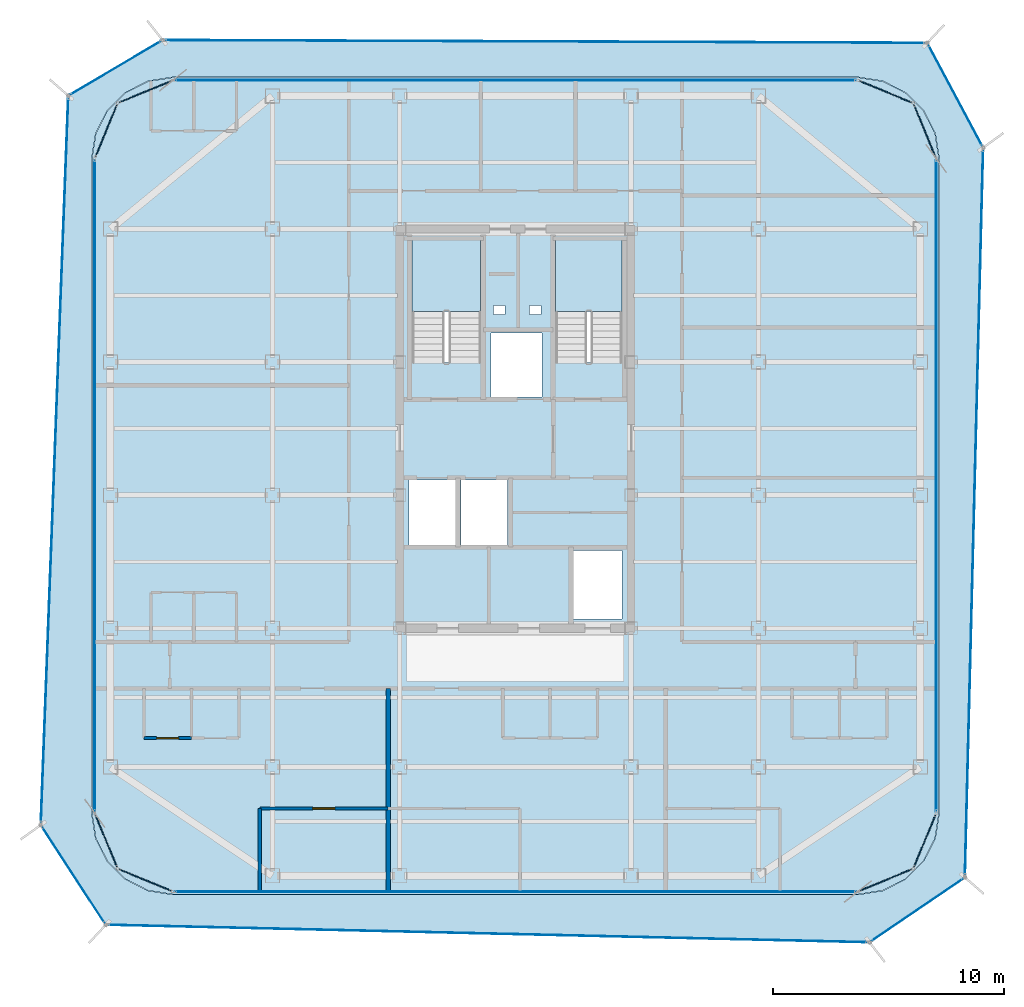
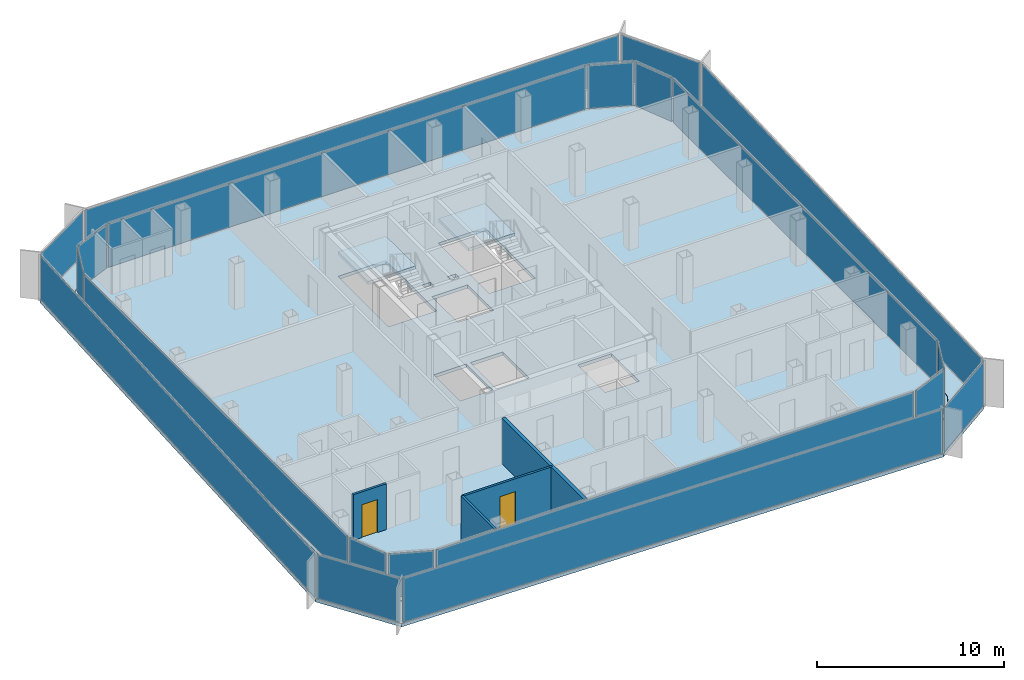
# One storey, part 9 of 15: 20 plates, 4 slabs, 4 walls, 2 doors, 2 openings, 22 elements without a shape of their own.
"""IFC4 building model written with IfcOpenShell, lengths in metres."""

from ifc_helpers import new_model, si_unit, direction, frame, frame_2d, origin, origin_2d, place, context, subcontext, project, spatial, polyline, rectangle, outline, extrude, source, transform, mapped, material, layer, layer_set, type_object, element, fill, aggregate, save


model = new_model("IFC4")

# Units and contexts
model_context = context("Model", 3, precision=1e-05, world=origin(), true_north=direction((0.0, 1.0)))
body_context = subcontext(model_context, "Body", "Model", "MODEL_VIEW")
ifc_project = project(units=[si_unit("LENGTHUNIT", "METRE"), si_unit("AREAUNIT", "SQUARE_METRE"), si_unit("VOLUMEUNIT", "CUBIC_METRE"), si_unit("PLANEANGLEUNIT", "RADIAN"), si_unit("MASSUNIT", "GRAM", prefix="KILO")], contexts=[model_context])

# Site, building, storey
site_placement = place(None, origin())
site = spatial("IfcSite", under=ifc_project, at=site_placement, CompositionType="ELEMENT")
building_placement = place(site_placement, origin())
building = spatial("IfcBuilding", under=site, at=building_placement, Name="Kolveth Station Tower", CompositionType="ELEMENT")
storey_placement = place(building_placement, frame((0.0, 0.0, 220.10009765625)))
storey = spatial("IfcBuildingStorey", under=building, at=storey_placement, Name="L62", CompositionType="ELEMENT", Elevation=220.10009765625)

# Slab
ifc_material_1 = material(Name="Concrete C40/50", Category="concrete")
ifc_layer_1 = layer(ifc_material_1, 0.219970703125)
ifc_layer_set_1 = layer_set([ifc_layer_1], Name="Concrete C40/50")
slab_type_1 = type_object("IfcSlabType", Name="Slab_SF-220", PredefinedType="FLOOR", material=ifc_layer_set_1)
slab_1_placement = place(storey_placement, frame((0.0, 0.0, -0.22021484375)))
element("IfcSlab", 1, at=slab_1_placement, inside=storey, type_object=slab_type_1, Name="L62 Tower Structural Floor Slab", PredefinedType="FLOOR", context=body_context, shape_type="SweptSolid", body=[
    extrude(outline(polyline([(38.300048828125, 0.0), (39.381591796875, 0.17138671875), (40.357177734375, 0.66845703125), (41.131591796875, 1.44287109375), (41.628662109375, 2.41845703125), (41.800048828125, 3.5), (41.800048828125, 31.800048828125), (41.628662109375, 32.881591796875), (41.131591796875, 33.857177734375), (40.357177734375, 34.631591796875), (39.381591796875, 35.128662109375), (38.300048828125, 35.300048828125), (8.699951171875, 35.300048828125), (7.618408203125, 35.128662109375), (6.642822265625, 34.631591796875), (5.868408203125, 33.857177734375), (5.371337890625, 32.881591796875), (5.199951171875, 31.800048828125), (5.199951171875, 3.5), (5.371337890625, 2.41845703125), (5.868408203125, 1.44287109375), (6.642822265625, 0.66845703125), (7.618408203125, 0.17138671875), (8.699951171875, 0.0), (38.300048828125, 0.0)]), holes=[polyline([(19.0400390625, 22.985107421875), (22.0, 22.985107421875), (22.0, 28.39990234375), (19.0400390625, 28.39990234375), (19.0400390625, 22.985107421875)]), polyline([(25.239990234375, 22.985107421875), (28.10009765625, 22.985107421875), (28.10009765625, 28.39990234375), (25.239990234375, 28.39990234375), (25.239990234375, 22.985107421875)]), polyline([(18.89990234375, 15.10009765625), (20.89990234375, 15.10009765625), (20.89990234375, 17.89990234375), (18.89990234375, 17.89990234375), (18.89990234375, 15.10009765625)]), polyline([(21.14990234375, 15.10009765625), (23.14990234375, 15.10009765625), (23.14990234375, 17.89990234375), (21.14990234375, 17.89990234375), (21.14990234375, 15.10009765625)]), polyline([(22.449951171875, 21.5), (24.64990234375, 21.5), (24.64990234375, 24.25), (22.449951171875, 24.25), (22.449951171875, 21.5)]), polyline([(26.0, 11.89990234375), (28.10009765625, 11.89990234375), (28.10009765625, 14.85009765625), (26.0, 14.85009765625), (26.0, 11.89990234375)]), polyline([(22.550048828125, 25.050048828125), (23.050048828125, 25.050048828125), (23.050048828125, 25.449951171875), (22.550048828125, 25.449951171875), (22.550048828125, 25.050048828125)]), polyline([(24.10009765625, 25.050048828125), (24.60009765625, 25.050048828125), (24.60009765625, 25.449951171875), (24.10009765625, 25.449951171875), (24.10009765625, 25.050048828125)])]), origin(), (0.0, 0.0, 1.0), 0.22021484375),
])

# Stair, slab
stair_type_1 = type_object("IfcStairType", Name="Stair_ST2", PredefinedType="HALF_TURN_STAIR", material=ifc_material_1)
stair_1_placement = place(storey_placement, origin())
stair_1 = element("IfcStair", 2, at=stair_1_placement, inside=storey, type_object=stair_type_1, Name="L62 Tower Exit Stair ST2", PredefinedType="HALF_TURN_STAIR")
ifc_layer_2 = layer(ifc_material_1, 0.18994140625)
ifc_layer_set_2 = layer_set([ifc_layer_2], Name="Concrete C40/50")
slab_type_2 = type_object("IfcSlabType", Name="Slab_SL-190", PredefinedType="LANDING", material=ifc_layer_set_2)
slab_2_placement = place(storey_placement, frame((0.0, 0.0, 1.39990234375)))
slab_2 = element("IfcSlab", 3, at=slab_2_placement, type_object=slab_type_2, Name="ST2 landing 1", PredefinedType="LANDING", context=body_context, shape_type="SweptSolid", body=[
    extrude(outline(polyline([(28.10009765625, 25.18994140625), (28.10009765625, 28.39990234375), (25.239990234375, 28.39990234375), (25.239990234375, 25.18994140625), (28.10009765625, 25.18994140625)])), origin(), (0.0, 0.0, 1.0), 0.199951171875),
])
aggregate(stair_1, [slab_2])

stair_type_2 = type_object("IfcStairType", Name="Stair_ST1", PredefinedType="HALF_TURN_STAIR", material=ifc_material_1)
stair_2_placement = place(storey_placement, origin())
stair_2 = element("IfcStair", 4, at=stair_2_placement, inside=storey, type_object=stair_type_2, Name="L62 Tower Exit Stair ST1", PredefinedType="HALF_TURN_STAIR")
ifc_layer_3 = layer(ifc_material_1, 0.205078125)
ifc_layer_set_3 = layer_set([ifc_layer_3], Name="Concrete C40/50")
slab_type_3 = type_object("IfcSlabType", Name="Slab_SL-205", PredefinedType="LANDING", material=ifc_layer_set_3)
slab_3_placement = place(storey_placement, frame((0.0, 0.0, 1.39990234375)))
slab_3 = element("IfcSlab", 5, at=slab_3_placement, type_object=slab_type_3, Name="ST1 landing 1", PredefinedType="LANDING", context=body_context, shape_type="SweptSolid", body=[
    extrude(outline(polyline([(22.0, 25.18994140625), (22.0, 28.39990234375), (19.0400390625, 28.39990234375), (19.0400390625, 25.18994140625), (22.0, 25.18994140625)])), origin(), (0.0, 0.0, 1.0), 0.199951171875),
])
aggregate(stair_2, [slab_3])

# Slab
ifc_layer_4 = layer(ifc_material_1, 0.2099609375)
ifc_layer_set_4 = layer_set([ifc_layer_4], Name="Concrete C40/50")
slab_type_4 = type_object("IfcSlabType", Name="Slab_ST-210", PredefinedType="FLOOR", material=ifc_layer_set_4)
slab_4_placement = place(storey_placement, frame((0.0, 0.0, -0.210205078125)))
element("IfcSlab", 6, at=slab_4_placement, inside=storey, type_object=slab_type_4, Name="L62 Double-Skin Cavity Structural Ledger Ring", PredefinedType="FLOOR", context=body_context, shape_type="SweptSolid", body=[
    extrude(outline(polyline([(5.80126953125, -1.318115234375), (2.990966796875, 2.995849609375), (4.180908203125, 34.50927734375), (8.2548828125, 36.912109375), (41.297607421875, 36.791015625), (43.714111328125, 32.267578125), (42.92529296875, 0.72998046875), (38.80224609375, -2.07568359375), (5.80126953125, -1.318115234375)]), holes=[polyline([(38.30224609375, -0.014892578125), (39.3837890625, 0.156494140625), (39.388427734375, 0.157958984375), (40.364013671875, 0.655029296875), (40.367919921875, 0.65771484375), (41.14208984375, 1.43212890625), (41.14501953125, 1.43603515625), (41.64208984375, 2.41162109375), (41.6435546875, 2.416015625), (41.814697265625, 3.497802734375), (41.81494140625, 3.5), (41.81494140625, 31.800048828125), (41.814697265625, 31.80224609375), (41.6435546875, 32.8837890625), (41.64208984375, 32.888427734375), (41.14501953125, 33.864013671875), (41.14208984375, 33.867919921875), (40.367919921875, 34.64208984375), (40.364013671875, 34.64501953125), (39.388427734375, 35.14208984375), (39.3837890625, 35.1435546875), (38.30224609375, 35.314697265625), (38.300048828125, 35.31494140625), (8.699951171875, 35.31494140625), (8.69775390625, 35.314697265625), (7.6162109375, 35.1435546875), (7.611572265625, 35.14208984375), (6.635986328125, 34.64501953125), (6.632080078125, 34.64208984375), (5.85791015625, 33.867919921875), (5.85498046875, 33.864013671875), (5.35791015625, 32.888427734375), (5.3564453125, 32.8837890625), (5.185302734375, 31.80224609375), (5.18505859375, 31.800048828125), (5.18505859375, 3.5), (5.185302734375, 3.497802734375), (5.3564453125, 2.416015625), (5.35791015625, 2.41162109375), (5.85498046875, 1.43603515625), (5.85791015625, 1.43212890625), (6.632080078125, 0.65771484375), (6.635986328125, 0.655029296875), (7.611572265625, 0.157958984375), (7.6162109375, 0.156494140625), (8.69775390625, -0.014892578125), (8.699951171875, -0.014892578125), (38.300048828125, -0.014892578125), (38.30224609375, -0.014892578125)])]), origin(), (0.0, 0.0, 1.0), 0.210205078125),
])

# Curtain wall, plate
ifc_material_2 = material(Name="Aluminium 6063-T6 and triple low-E dark glass", Category="aluminium")
ifc_layer_5 = layer(ifc_material_2, 0.199951171875)
ifc_layer_set_5 = layer_set([ifc_layer_5], Name="Aluminium 6063-T6 and triple low-E dark glass")
curtain_wall_type_1 = type_object("IfcCurtainWallType", Name="CurtainWall_CW-Z3", PredefinedType="NOTDEFINED", material=ifc_layer_set_5)
curtain_wall_1_placement = place(storey_placement, origin())
curtain_wall_1 = element("IfcCurtainWall", 7, at=curtain_wall_1_placement, inside=storey, type_object=curtain_wall_type_1, Name="L62 Inner Thermal Curtain Wall 1", PredefinedType="NOTDEFINED")
ifc_material_3 = material(Name="Architectural low-E dark glass", Category="glass")
ifc_layer_6 = layer(ifc_material_3, 0.0419921875)
ifc_layer_set_6 = layer_set([ifc_layer_6], Name="Architectural low-E dark glass")
plate_type_1 = type_object("IfcPlateType", Name="Panel_GL3", PredefinedType="CURTAIN_PANEL", material=ifc_layer_set_6)
shared_shape_1 = source(origin(), body_context, "Body", "SweptSolid", [
    extrude(rectangle(XDim=2.430908203125, YDim=0.0419921875, at=origin_2d()), origin(), (0.0, 0.0, 1.0), 2.823974609375),
])
plate_1_placement = place(storey_placement, frame((39.4951171875, 0.614990234375, 0.078125), z_axis=(0.0, 0.0, 1.0), x_axis=(0.923875488975, 0.382693194181, 0.0)))
plate_1 = element("IfcPlate", 8, at=plate_1_placement, type_object=plate_type_1, Name="CW-Z3 panel 1.1", PredefinedType="CURTAIN_PANEL", context=body_context, shape_type="MappedRepresentation", body=[
    mapped(shared_shape_1, transform((0.0, 0.0, 0.0), x_axis=(1.0, 0.0, 0.0), y_axis=(0.0, 1.0, 0.0), z_axis=(0.0, 0.0, 1.0), scale=1.0)),
])
aggregate(curtain_wall_1, [plate_1])

curtain_wall_2_placement = place(storey_placement, origin())
curtain_wall_2 = element("IfcCurtainWall", 9, at=curtain_wall_2_placement, inside=storey, type_object=curtain_wall_type_1, Name="L62 Inner Thermal Curtain Wall 2", PredefinedType="NOTDEFINED")
plate_2_placement = place(storey_placement, frame((41.18505859375, 2.304931640625, 0.078125), z_axis=(0.0, 0.0, 1.0), x_axis=(0.382693194181, 0.923875488975, 0.0)))
plate_2 = element("IfcPlate", 10, at=plate_2_placement, type_object=plate_type_1, Name="CW-Z3 panel 1.1", PredefinedType="CURTAIN_PANEL", context=body_context, shape_type="MappedRepresentation", body=[
    mapped(shared_shape_1, transform((0.0, 0.0, 0.0), x_axis=(1.0, 0.0, 0.0), y_axis=(0.0, 1.0, 0.0), z_axis=(0.0, 0.0, 1.0), scale=1.0)),
])
aggregate(curtain_wall_2, [plate_2])

curtain_wall_3_placement = place(storey_placement, origin())
curtain_wall_3 = element("IfcCurtainWall", 11, at=curtain_wall_3_placement, inside=storey, type_object=curtain_wall_type_1, Name="L62 Inner Thermal Curtain Wall 4", PredefinedType="NOTDEFINED")
plate_3_placement = place(storey_placement, frame((41.18505859375, 32.9951171875, 0.078125), z_axis=(0.0, 0.0, 1.0), x_axis=(-0.382693194181, 0.923875488975, 0.0)))
plate_3 = element("IfcPlate", 12, at=plate_3_placement, type_object=plate_type_1, Name="CW-Z3 panel 1.1", PredefinedType="CURTAIN_PANEL", context=body_context, shape_type="MappedRepresentation", body=[
    mapped(shared_shape_1, transform((0.0, 0.0, 0.0), x_axis=(1.0, 0.0, 0.0), y_axis=(0.0, 1.0, 0.0), z_axis=(0.0, 0.0, 1.0), scale=1.0)),
])
aggregate(curtain_wall_3, [plate_3])

curtain_wall_4_placement = place(storey_placement, origin())
curtain_wall_4 = element("IfcCurtainWall", 13, at=curtain_wall_4_placement, inside=storey, type_object=curtain_wall_type_1, Name="L62 Inner Thermal Curtain Wall 5", PredefinedType="NOTDEFINED")
plate_4_placement = place(storey_placement, frame((39.4951171875, 34.68505859375, 0.078125), z_axis=(0.0, 0.0, 1.0), x_axis=(-0.923875488975, 0.382693194181, 0.0)))
plate_4 = element("IfcPlate", 14, at=plate_4_placement, type_object=plate_type_1, Name="CW-Z3 panel 1.1", PredefinedType="CURTAIN_PANEL", context=body_context, shape_type="MappedRepresentation", body=[
    mapped(shared_shape_1, transform((0.0, 0.0, 0.0), x_axis=(1.0, 0.0, 0.0), y_axis=(0.0, 1.0, 0.0), z_axis=(0.0, 0.0, 1.0), scale=1.0)),
])
aggregate(curtain_wall_4, [plate_4])

curtain_wall_5_placement = place(storey_placement, origin())
curtain_wall_5 = element("IfcCurtainWall", 15, at=curtain_wall_5_placement, inside=storey, type_object=curtain_wall_type_1, Name="L62 Inner Thermal Curtain Wall 7", PredefinedType="NOTDEFINED")
plate_5_placement = place(storey_placement, frame((7.5048828125, 34.68505859375, 0.078125), z_axis=(0.0, 0.0, 1.0), x_axis=(-0.923875488975, -0.382693194181, 0.0)))
plate_5 = element("IfcPlate", 16, at=plate_5_placement, type_object=plate_type_1, Name="CW-Z3 panel 1.1", PredefinedType="CURTAIN_PANEL", context=body_context, shape_type="MappedRepresentation", body=[
    mapped(shared_shape_1, transform((0.0, 0.0, 0.0), x_axis=(1.0, 0.0, 0.0), y_axis=(0.0, 1.0, 0.0), z_axis=(0.0, 0.0, 1.0), scale=1.0)),
])
aggregate(curtain_wall_5, [plate_5])

curtain_wall_6_placement = place(storey_placement, origin())
curtain_wall_6 = element("IfcCurtainWall", 17, at=curtain_wall_6_placement, inside=storey, type_object=curtain_wall_type_1, Name="L62 Inner Thermal Curtain Wall 8", PredefinedType="NOTDEFINED")
plate_6_placement = place(storey_placement, frame((5.81494140625, 32.9951171875, 0.078125), z_axis=(0.0, 0.0, 1.0), x_axis=(-0.382693194181, -0.923875488975, 0.0)))
plate_6 = element("IfcPlate", 18, at=plate_6_placement, type_object=plate_type_1, Name="CW-Z3 panel 1.1", PredefinedType="CURTAIN_PANEL", context=body_context, shape_type="MappedRepresentation", body=[
    mapped(shared_shape_1, transform((0.0, 0.0, 0.0), x_axis=(1.0, 0.0, 0.0), y_axis=(0.0, 1.0, 0.0), z_axis=(0.0, 0.0, 1.0), scale=1.0)),
])
aggregate(curtain_wall_6, [plate_6])

curtain_wall_7_placement = place(storey_placement, origin())
curtain_wall_7 = element("IfcCurtainWall", 19, at=curtain_wall_7_placement, inside=storey, type_object=curtain_wall_type_1, Name="L62 Inner Thermal Curtain Wall 10", PredefinedType="NOTDEFINED")
plate_7_placement = place(storey_placement, frame((5.81494140625, 2.304931640625, 0.078125), z_axis=(0.0, 0.0, 1.0), x_axis=(0.382693194181, -0.923875488975, 0.0)))
plate_7 = element("IfcPlate", 20, at=plate_7_placement, type_object=plate_type_1, Name="CW-Z3 panel 1.1", PredefinedType="CURTAIN_PANEL", context=body_context, shape_type="MappedRepresentation", body=[
    mapped(shared_shape_1, transform((0.0, 0.0, 0.0), x_axis=(1.0, 0.0, 0.0), y_axis=(0.0, 1.0, 0.0), z_axis=(0.0, 0.0, 1.0), scale=1.0)),
])
aggregate(curtain_wall_7, [plate_7])

curtain_wall_8_placement = place(storey_placement, origin())
curtain_wall_8 = element("IfcCurtainWall", 21, at=curtain_wall_8_placement, inside=storey, type_object=curtain_wall_type_1, Name="L62 Inner Thermal Curtain Wall 11", PredefinedType="NOTDEFINED")
plate_8_placement = place(storey_placement, frame((7.5048828125, 0.614990234375, 0.078125), z_axis=(0.0, 0.0, 1.0), x_axis=(0.923875488975, -0.382693194181, 0.0)))
plate_8 = element("IfcPlate", 22, at=plate_8_placement, type_object=plate_type_1, Name="CW-Z3 panel 1.1", PredefinedType="CURTAIN_PANEL", context=body_context, shape_type="MappedRepresentation", body=[
    mapped(shared_shape_1, transform((0.0, 0.0, 0.0), x_axis=(1.0, 0.0, 0.0), y_axis=(0.0, 1.0, 0.0), z_axis=(0.0, 0.0, 1.0), scale=1.0)),
])
aggregate(curtain_wall_8, [plate_8])

curtain_wall_9_placement = place(storey_placement, origin())
curtain_wall_9 = element("IfcCurtainWall", 23, at=curtain_wall_9_placement, inside=storey, type_object=curtain_wall_type_1, Name="L62 Inner Thermal Curtain Wall 3", PredefinedType="NOTDEFINED")
shared_shape_2 = source(origin(), body_context, "Body", "SweptSolid", [
    extrude(rectangle(XDim=28.14404296875, YDim=0.0419921875, at=origin_2d()), origin(), (0.0, 0.0, 1.0), 2.823974609375),
])
plate_9_placement = place(storey_placement, frame((41.679931640625, 17.64990234375, 0.078125), z_axis=(0.0, 0.0, 1.0), x_axis=(0.0, 1.0, 0.0)))
plate_9 = element("IfcPlate", 24, at=plate_9_placement, type_object=plate_type_1, Name="CW-Z3 panel 1.1", PredefinedType="CURTAIN_PANEL", context=body_context, shape_type="MappedRepresentation", body=[
    mapped(shared_shape_2, transform((0.0, 0.0, 0.0), x_axis=(1.0, 0.0, 0.0), y_axis=(0.0, 1.0, 0.0), z_axis=(0.0, 0.0, 1.0), scale=1.0)),
])
aggregate(curtain_wall_9, [plate_9])

curtain_wall_10_placement = place(storey_placement, origin())
curtain_wall_10 = element("IfcCurtainWall", 25, at=curtain_wall_10_placement, inside=storey, type_object=curtain_wall_type_1, Name="L62 Inner Thermal Curtain Wall 9", PredefinedType="NOTDEFINED")
plate_10_placement = place(storey_placement, frame((5.320068359375, 17.64990234375, 0.078125), z_axis=(0.0, 0.0, 1.0), x_axis=(0.0, -1.0, 0.0)))
plate_10 = element("IfcPlate", 26, at=plate_10_placement, type_object=plate_type_1, Name="CW-Z3 panel 1.1", PredefinedType="CURTAIN_PANEL", context=body_context, shape_type="MappedRepresentation", body=[
    mapped(shared_shape_2, transform((0.0, 0.0, 0.0), x_axis=(1.0, 0.0, 0.0), y_axis=(0.0, 1.0, 0.0), z_axis=(0.0, 0.0, 1.0), scale=1.0)),
])
aggregate(curtain_wall_10, [plate_10])

curtain_wall_11_placement = place(storey_placement, origin())
curtain_wall_11 = element("IfcCurtainWall", 27, at=curtain_wall_11_placement, inside=storey, type_object=curtain_wall_type_1, Name="L62 Inner Thermal Curtain Wall 6", PredefinedType="NOTDEFINED")
shared_shape_3 = source(origin(), body_context, "Body", "SweptSolid", [
    extrude(rectangle(XDim=29.444091796875, YDim=0.0419921875, at=origin_2d()), origin(), (0.0, 0.0, 1.0), 2.823974609375),
])
plate_11_placement = place(storey_placement, frame((23.5, 35.179931640625, 0.078125), z_axis=(0.0, 0.0, 1.0), x_axis=(-1.0, 0.0, 0.0)))
plate_11 = element("IfcPlate", 28, at=plate_11_placement, type_object=plate_type_1, Name="CW-Z3 panel 1.1", PredefinedType="CURTAIN_PANEL", context=body_context, shape_type="MappedRepresentation", body=[
    mapped(shared_shape_3, transform((0.0, 0.0, 0.0), x_axis=(1.0, 0.0, 0.0), y_axis=(0.0, 1.0, 0.0), z_axis=(0.0, 0.0, 1.0), scale=1.0)),
])
aggregate(curtain_wall_11, [plate_11])

curtain_wall_12_placement = place(storey_placement, origin())
curtain_wall_12 = element("IfcCurtainWall", 29, at=curtain_wall_12_placement, inside=storey, type_object=curtain_wall_type_1, Name="L62 Inner Thermal Curtain Wall 12", PredefinedType="NOTDEFINED")
plate_12_placement = place(storey_placement, frame((23.5, 0.1201171875, 0.078125), z_axis=(0.0, 0.0, 1.0), x_axis=(1.0, 0.0, 0.0)))
plate_12 = element("IfcPlate", 30, at=plate_12_placement, type_object=plate_type_1, Name="CW-Z3 panel 1.1", PredefinedType="CURTAIN_PANEL", context=body_context, shape_type="MappedRepresentation", body=[
    mapped(shared_shape_3, transform((0.0, 0.0, 0.0), x_axis=(1.0, 0.0, 0.0), y_axis=(0.0, 1.0, 0.0), z_axis=(0.0, 0.0, 1.0), scale=1.0)),
])
aggregate(curtain_wall_12, [plate_12])

ifc_material_4 = material(Name="Black anodized aluminium 6063-T6 and dark solar glass", Category="aluminium")
ifc_layer_7 = layer(ifc_material_4, 0.159912109375)
ifc_layer_set_7 = layer_set([ifc_layer_7], Name="Black anodized aluminium 6063-T6 and dark solar glass")
curtain_wall_type_2 = type_object("IfcCurtainWallType", Name="OUTER SKIN CW-OS", PredefinedType="NOTDEFINED", material=ifc_layer_set_7)
curtain_wall_13_placement = place(storey_placement, origin())
curtain_wall_13 = element("IfcCurtainWall", 31, at=curtain_wall_13_placement, inside=storey, type_object=curtain_wall_type_2, Name="L62 Outer Ventilated Skin Curtain Wall 1", PredefinedType="NOTDEFINED")
ifc_layer_8 = layer(ifc_material_3, 0.028076171875)
ifc_layer_set_8 = layer_set([ifc_layer_8], Name="Architectural low-E dark glass")
plate_type_2 = type_object("IfcPlateType", Name="Panel_GL-OS", PredefinedType="CURTAIN_PANEL", material=ifc_layer_set_8)
shared_shape_4 = source(origin(), body_context, "Body", "SweptSolid", [
    extrude(rectangle(XDim=4.821044921875, YDim=0.028076171875, at=origin_2d()), origin(), (0.0, 0.0, 1.0), 2.843994140625),
])
plate_13_placement = place(storey_placement, frame((40.86376953125, -0.6728515625, 0.07275390625), z_axis=(0.0, 0.0, 1.0), x_axis=(0.8267187091, 0.562615477946, 0.0)))
plate_13 = element("IfcPlate", 32, at=plate_13_placement, type_object=plate_type_2, Name="CW-OS panel 1.1", PredefinedType="CURTAIN_PANEL", context=body_context, shape_type="MappedRepresentation", body=[
    mapped(shared_shape_4, transform((0.0, 0.0, 0.0), x_axis=(1.0, 0.0, 0.0), y_axis=(0.0, 1.0, 0.0), z_axis=(0.0, 0.0, 1.0), scale=1.0)),
])
aggregate(curtain_wall_13, [plate_13])

curtain_wall_14_placement = place(storey_placement, origin())
curtain_wall_14 = element("IfcCurtainWall", 33, at=curtain_wall_14_placement, inside=storey, type_object=curtain_wall_type_2, Name="L62 Outer Ventilated Skin Curtain Wall 2", PredefinedType="NOTDEFINED")
shared_shape_5 = source(origin(), body_context, "Body", "SweptSolid", [
    extrude(rectangle(XDim=31.381591796875, YDim=0.028076171875, at=origin_2d()), origin(), (0.0, 0.0, 1.0), 2.843994140625),
])
plate_14_placement = place(storey_placement, frame((43.319580078125, 16.498779296875, 0.07275390625), z_axis=(0.0, 0.0, 1.0), x_axis=(0.025006684012, 0.999687283982, 0.0)))
plate_14 = element("IfcPlate", 34, at=plate_14_placement, type_object=plate_type_2, Name="CW-OS panel 1.1", PredefinedType="CURTAIN_PANEL", context=body_context, shape_type="MappedRepresentation", body=[
    mapped(shared_shape_5, transform((0.0, 0.0, 0.0), x_axis=(1.0, 0.0, 0.0), y_axis=(0.0, 1.0, 0.0), z_axis=(0.0, 0.0, 1.0), scale=1.0)),
])
aggregate(curtain_wall_14, [plate_14])

curtain_wall_15_placement = place(storey_placement, origin())
curtain_wall_15 = element("IfcCurtainWall", 35, at=curtain_wall_15_placement, inside=storey, type_object=curtain_wall_type_2, Name="L62 Outer Ventilated Skin Curtain Wall 3", PredefinedType="NOTDEFINED")
shared_shape_6 = source(origin(), body_context, "Body", "SweptSolid", [
    extrude(rectangle(XDim=4.962158203125, YDim=0.028076171875, at=origin_2d()), origin(), (0.0, 0.0, 1.0), 2.843994140625),
])
plate_15_placement = place(storey_placement, frame((42.505859375, 34.529296875, 0.07275390625), z_axis=(0.0, 0.0, 1.0), x_axis=(-0.471214609365, 0.882018589328, 0.0)))
plate_15 = element("IfcPlate", 36, at=plate_15_placement, type_object=plate_type_2, Name="CW-OS panel 1.1", PredefinedType="CURTAIN_PANEL", context=body_context, shape_type="MappedRepresentation", body=[
    mapped(shared_shape_6, transform((0.0, 0.0, 0.0), x_axis=(1.0, 0.0, 0.0), y_axis=(0.0, 1.0, 0.0), z_axis=(0.0, 0.0, 1.0), scale=1.0)),
])
aggregate(curtain_wall_15, [plate_15])

curtain_wall_16_placement = place(storey_placement, origin())
curtain_wall_16 = element("IfcCurtainWall", 37, at=curtain_wall_16_placement, inside=storey, type_object=curtain_wall_type_2, Name="L62 Outer Ventilated Skin Curtain Wall 4", PredefinedType="NOTDEFINED")
shared_shape_7 = source(origin(), body_context, "Body", "SweptSolid", [
    extrude(rectangle(XDim=32.876953125, YDim=0.028076171875, at=origin_2d()), origin(), (0.0, 0.0, 1.0), 2.843994140625),
])
plate_16_placement = place(storey_placement, frame((24.7763671875, 36.8515625, 0.07275390625), z_axis=(0.0, 0.0, 1.0), x_axis=(-0.999993284121, 0.003664930135, 0.0)))
plate_16 = element("IfcPlate", 38, at=plate_16_placement, type_object=plate_type_2, Name="CW-OS panel 1.1", PredefinedType="CURTAIN_PANEL", context=body_context, shape_type="MappedRepresentation", body=[
    mapped(shared_shape_7, transform((0.0, 0.0, 0.0), x_axis=(1.0, 0.0, 0.0), y_axis=(0.0, 1.0, 0.0), z_axis=(0.0, 0.0, 1.0), scale=1.0)),
])
aggregate(curtain_wall_16, [plate_16])

curtain_wall_17_placement = place(storey_placement, origin())
curtain_wall_17 = element("IfcCurtainWall", 39, at=curtain_wall_17_placement, inside=storey, type_object=curtain_wall_type_2, Name="L62 Outer Ventilated Skin Curtain Wall 5", PredefinedType="NOTDEFINED")
shared_shape_8 = source(origin(), body_context, "Body", "SweptSolid", [
    extrude(rectangle(XDim=4.563720703125, YDim=0.028076171875, at=origin_2d()), origin(), (0.0, 0.0, 1.0), 2.843994140625),
])
plate_17_placement = place(storey_placement, frame((6.218017578125, 35.710693359375, 0.07275390625), z_axis=(0.0, 0.0, 1.0), x_axis=(-0.861348823811, -0.508013979846, 0.0)))
plate_17 = element("IfcPlate", 40, at=plate_17_placement, type_object=plate_type_2, Name="CW-OS panel 1.1", PredefinedType="CURTAIN_PANEL", context=body_context, shape_type="MappedRepresentation", body=[
    mapped(shared_shape_8, transform((0.0, 0.0, 0.0), x_axis=(1.0, 0.0, 0.0), y_axis=(0.0, 1.0, 0.0), z_axis=(0.0, 0.0, 1.0), scale=1.0)),
])
aggregate(curtain_wall_17, [plate_17])

curtain_wall_18_placement = place(storey_placement, origin())
curtain_wall_18 = element("IfcCurtainWall", 41, at=curtain_wall_18_placement, inside=storey, type_object=curtain_wall_type_2, Name="L62 Outer Ventilated Skin Curtain Wall 6", PredefinedType="NOTDEFINED")
shared_shape_9 = source(origin(), body_context, "Body", "SweptSolid", [
    extrude(rectangle(XDim=31.369873046875, YDim=0.028076171875, at=origin_2d()), origin(), (0.0, 0.0, 1.0), 2.843994140625),
])
plate_18_placement = place(storey_placement, frame((3.5859375, 18.75244140625, 0.07275390625), z_axis=(0.0, 0.0, 1.0), x_axis=(-0.03773165324, -0.999287907634, 0.0)))
plate_18 = element("IfcPlate", 42, at=plate_18_placement, type_object=plate_type_2, Name="CW-OS panel 1.1", PredefinedType="CURTAIN_PANEL", context=body_context, shape_type="MappedRepresentation", body=[
    mapped(shared_shape_9, transform((0.0, 0.0, 0.0), x_axis=(1.0, 0.0, 0.0), y_axis=(0.0, 1.0, 0.0), z_axis=(0.0, 0.0, 1.0), scale=1.0)),
])
aggregate(curtain_wall_18, [plate_18])

curtain_wall_19_placement = place(storey_placement, origin())
curtain_wall_19 = element("IfcCurtainWall", 43, at=curtain_wall_19_placement, inside=storey, type_object=curtain_wall_type_2, Name="L62 Outer Ventilated Skin Curtain Wall 7", PredefinedType="NOTDEFINED")
shared_shape_10 = source(origin(), body_context, "Body", "SweptSolid", [
    extrude(rectangle(XDim=4.982421875, YDim=0.028076171875, at=origin_2d()), origin(), (0.0, 0.0, 1.0), 2.843994140625),
])
plate_19_placement = place(storey_placement, frame((4.39599609375, 0.8388671875, 0.07275390625), z_axis=(0.0, 0.0, 1.0), x_axis=(0.54582986032, -0.837896033875, 0.0)))
plate_19 = element("IfcPlate", 44, at=plate_19_placement, type_object=plate_type_2, Name="CW-OS panel 1.1", PredefinedType="CURTAIN_PANEL", context=body_context, shape_type="MappedRepresentation", body=[
    mapped(shared_shape_10, transform((0.0, 0.0, 0.0), x_axis=(1.0, 0.0, 0.0), y_axis=(0.0, 1.0, 0.0), z_axis=(0.0, 0.0, 1.0), scale=1.0)),
])
aggregate(curtain_wall_19, [plate_19])

curtain_wall_20_placement = place(storey_placement, origin())
curtain_wall_20 = element("IfcCurtainWall", 45, at=curtain_wall_20_placement, inside=storey, type_object=curtain_wall_type_2, Name="L62 Outer Ventilated Skin Curtain Wall 8", PredefinedType="NOTDEFINED")
shared_shape_11 = source(origin(), body_context, "Body", "SweptSolid", [
    extrude(rectangle(XDim=32.84375, YDim=0.028076171875, at=origin_2d()), origin(), (0.0, 0.0, 1.0), 2.843994140625),
])
plate_20_placement = place(storey_placement, frame((22.3017578125, -1.697021484375, 0.07275390625), z_axis=(0.0, 0.0, 1.0), x_axis=(0.99973652702, -0.022953791437, 0.0)))
plate_20 = element("IfcPlate", 46, at=plate_20_placement, type_object=plate_type_2, Name="CW-OS panel 1.1", PredefinedType="CURTAIN_PANEL", context=body_context, shape_type="MappedRepresentation", body=[
    mapped(shared_shape_11, transform((0.0, 0.0, 0.0), x_axis=(1.0, 0.0, 0.0), y_axis=(0.0, 1.0, 0.0), z_axis=(0.0, 0.0, 1.0), scale=1.0)),
])
aggregate(curtain_wall_20, [plate_20])

# Wall, opening, door
ifc_material_5 = material(Name="Moisture-resistant gypsum partition")
ifc_layer_9 = layer(ifc_material_5, 0.135009765625)
ifc_layer_set_9 = layer_set([ifc_layer_9], Name="Moisture-resistant gypsum partition")
wall_type_1 = type_object("IfcWallType", Name="Wall_IW-135", PredefinedType="PARTITIONING", material=ifc_layer_set_9)
wall_1_placement = place(storey_placement, frame((7.449951171875, 6.75, 0.0), z_axis=(0.0, 0.0, 1.0), x_axis=(1.0, 0.0, 0.0)))
wall_1 = element("IfcWall", 47, at=wall_1_placement, inside=storey, type_object=wall_type_1, Name="L62 Partition Wall WL-L62-A1-IBHK", PredefinedType="PARTITIONING", context=body_context, shape_type="SweptSolid", body=[
    extrude(rectangle(XDim=2.050048828125, YDim=0.135009765625, at=frame_2d((1.02490234375, 0.0))), origin(), (0.0, 0.0, 1.0), 2.97998046875),
])
opening_1_placement = place(wall_1_placement, frame((0.544921875, 0.0, 0.0)))
opening_1 = element("IfcOpeningElement", 48, at=opening_1_placement, cuts=wall_1, Name="Opening ID1", PredefinedType="OPENING", context=body_context, shape_type="SweptSolid", body=[
    extrude(rectangle(XDim=0.949951171875, YDim=2.14990234375, at=frame_2d((0.47509765625, 1.074951171875))), frame((0.0, 0.077392578125, 0.0), z_axis=(0.0, -1.0, 0.0), x_axis=(1.0, 0.0, 0.0)), (0.0, 0.0, 1.0), 0.155029296875),
])
ifc_material_6 = material(Name="Acoustic hardwood leaf and aluminium frame", Category="wood")
door_type = type_object("IfcDoorType", Name="Door_ID1", OperationType="NOTDEFINED", PredefinedType="DOOR", material=ifc_material_6)
door_1_placement = place(opening_1_placement, origin())
door_1 = element("IfcDoor", 49, at=door_1_placement, inside=storey, type_object=door_type, Name="Penthouse Flat L62-A1 Kitchen Door", OperationType="SINGLE_SWING_LEFT", OverallHeight=2.14990234375, OverallWidth=0.949951171875, PredefinedType="DOOR", context=body_context, shape_type="SweptSolid", body=[
    extrude(rectangle(XDim=0.949951171875, YDim=2.14990234375, at=frame_2d((0.47509765625, 1.074951171875))), frame((0.0, 0.02490234375, 0.0), z_axis=(0.0, -1.0, 0.0), x_axis=(1.0, 0.0, 0.0)), (0.0, 0.0, 1.0), 0.050048828125),
])
fill(opening_1, door_1)

# Wall
wall_2_placement = place(storey_placement, frame((12.450927734375, 0.159912109375, 0.0), z_axis=(0.0, 0.0, 1.0), x_axis=(0.0, 1.0, 0.0)))
element("IfcWall", 50, at=wall_2_placement, inside=storey, type_object=wall_type_1, Name="L62 Partition Wall WL-L62-A1-BDV0", PredefinedType="PARTITIONING", context=body_context, shape_type="SweptSolid", body=[
    extrude(rectangle(XDim=3.550048828125, YDim=0.135009765625, at=frame_2d((1.77490234375, 0.0))), origin(), (0.0, 0.0, 1.0), 2.97998046875),
])

# Wall, opening, door
wall_3_placement = place(storey_placement, frame((12.450927734375, 3.7099609375, 0.0), z_axis=(0.0, 0.0, 1.0), x_axis=(1.0, 0.0, 0.0)))
wall_3 = element("IfcWall", 51, at=wall_3_placement, inside=storey, type_object=wall_type_1, Name="L62 Partition Wall WL-L62-A1-BDH1", PredefinedType="PARTITIONING", context=body_context, shape_type="SweptSolid", body=[
    extrude(rectangle(XDim=5.549072265625, YDim=0.135009765625, at=frame_2d((2.7744140625, 0.0))), origin(), (0.0, 0.0, 1.0), 2.97998046875),
])
opening_2_placement = place(wall_3_placement, frame((2.2939453125, 0.0, 0.0)))
opening_2 = element("IfcOpeningElement", 52, at=opening_2_placement, cuts=wall_3, Name="Opening ID1", PredefinedType="OPENING", context=body_context, shape_type="SweptSolid", body=[
    extrude(rectangle(XDim=0.949951171875, YDim=2.14990234375, at=frame_2d((0.47509765625, 1.074951171875))), frame((0.0, 0.077392578125, 0.0), z_axis=(0.0, -1.0, 0.0), x_axis=(1.0, 0.0, 0.0)), (0.0, 0.0, 1.0), 0.155029296875),
])
door_2_placement = place(opening_2_placement, frame((0.949951171875, 0.0, 0.0), z_axis=(0.0, 0.0, 1.0), x_axis=(-1.0, 0.0, 0.0)))
door_2 = element("IfcDoor", 53, at=door_2_placement, inside=storey, type_object=door_type, Name="Penthouse Flat L62-A1 Bedroom 1 Door", OperationType="SINGLE_SWING_RIGHT", OverallHeight=2.14990234375, OverallWidth=0.949951171875, PredefinedType="DOOR", context=body_context, shape_type="SweptSolid", body=[
    extrude(rectangle(XDim=0.949951171875, YDim=2.14990234375, at=frame_2d((0.47509765625, 1.074951171875))), frame((0.0, 0.02490234375, 0.0), z_axis=(0.0, -1.0, 0.0), x_axis=(1.0, 0.0, 0.0)), (0.0, 0.0, 1.0), 0.050048828125),
])
fill(opening_2, door_2)

# Wall
ifc_material_7 = material(Name="Acoustic fire-rated gypsum blockwork", Category="masonry")
ifc_layer_10 = layer(ifc_material_7, 0.199951171875)
ifc_layer_set_10 = layer_set([ifc_layer_10], Name="Acoustic fire-rated gypsum blockwork")
wall_type_2 = type_object("IfcWallType", Name="Wall_IW-200", PredefinedType="PARTITIONING", material=ifc_layer_set_10)
wall_4_placement = place(storey_placement, frame((18.0, 0.159912109375, 0.0), z_axis=(0.0, 0.0, 1.0), x_axis=(0.0, 1.0, 0.0)))
element("IfcWall", 54, at=wall_4_placement, inside=storey, type_object=wall_type_2, Name="L62 Partition Wall WL-L62-RSU-1", PredefinedType="PARTITIONING", context=body_context, shape_type="SweptSolid", body=[
    extrude(rectangle(XDim=8.739990234375, YDim=0.199951171875, at=frame_2d((4.3701171875, 0.0))), origin(), (0.0, 0.0, 1.0), 2.97998046875),
])

save(model, "model.ifc")
